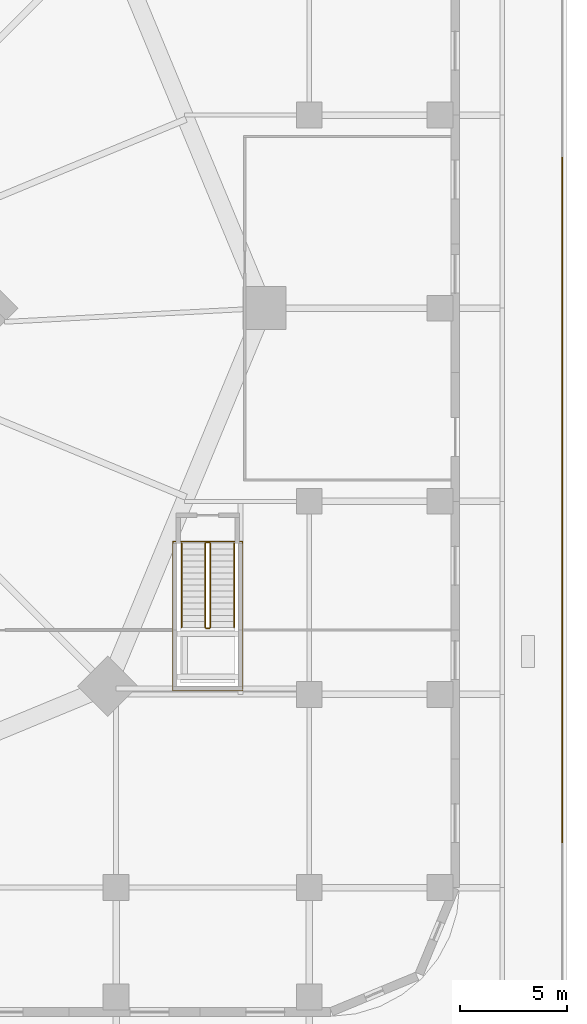
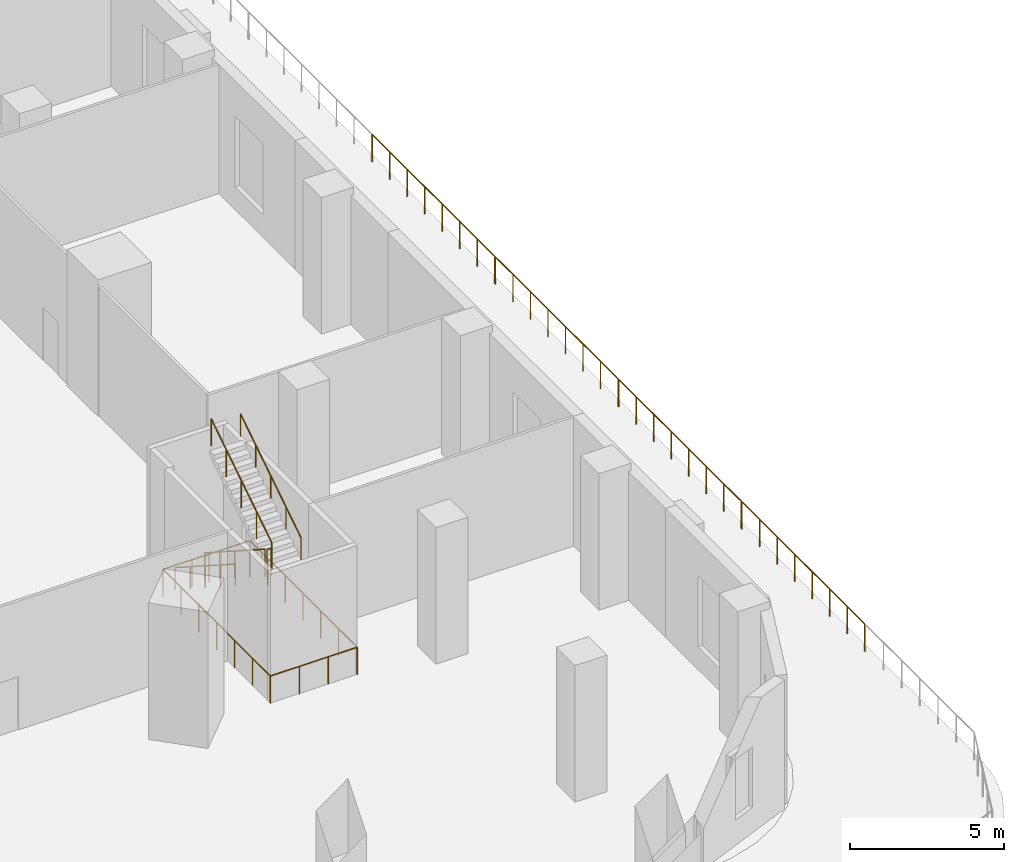
# One storey, part 18 of 20: 11 railings.
"""IFC4 building model written with IfcOpenShell, lengths in metres."""

import ifcopenshell
import ifcopenshell.guid

model = None  # the IFC model being written
_history = None  # IfcOwnerHistory: only IFC2X3 demands one
_inside = {}  # id of a spatial element -> (the spatial element, [elements in it])
_under = {}  # id of a project, library or spatial element -> (it, [spatial elements below it])
_declared = {}  # id of a project -> (the project, [libraries it declares])
_typed = {}  # id of a type object -> (the type object, [elements of that type])
_made_of = {}  # id of a material, layer set ... -> (it, [elements and type objects made of it])


def new_model(schema):
    """Start an empty IFC model of exactly this schema.

    Asked for "IFC4X3", IfcOpenShell would pick the latest addendum, in which some entities
    have other attributes; the version numbers below select the first issue.
    IFC2X3 requires an IfcOwnerHistory on every rooted entity: one is made here for all.
    """
    global model, _history
    if schema == "IFC4X3":
        model = ifcopenshell.file(schema_version=(4, 3, 0, 0))
    else:
        model = ifcopenshell.file(schema=schema)
    _inside.clear()
    _under.clear()
    _declared.clear()
    _typed.clear()
    _made_of.clear()
    _history = None
    if model.schema == "IFC2X3":
        org = make("IfcOrganization", Name="unknown")
        user = make(
            "IfcPersonAndOrganization",
            ThePerson=make("IfcPerson", FamilyName="unknown"),
            TheOrganization=org,
        )
        app = make(
            "IfcApplication",
            ApplicationDeveloper=org,
            Version="unknown",
            ApplicationFullName="unknown",
            ApplicationIdentifier="unknown",
        )
        _history = make(
            "IfcOwnerHistory",
            OwningUser=user,
            OwningApplication=app,
            ChangeAction="ADDED",
            CreationDate=0,
        )
    return model


def make(cls, **values):
    """One entity of the class cls with the attributes given. An attribute that is None is left unset."""
    return model.create_entity(
        cls, **{name: value for name, value in values.items() if value is not None}
    )


def rooted(cls, **values):
    """An entity with a GlobalId (a new one), such as an element, a storey or a relation."""
    return make(cls, GlobalId=ifcopenshell.guid.new(), OwnerHistory=_history, **values)


def si_unit(unit_type, name, prefix=None):
    """IfcSIUnit, for example si_unit("LENGTHUNIT", "METRE", prefix="MILLI")."""
    return make("IfcSIUnit", UnitType=unit_type, Prefix=prefix, Name=name)


def assignment(units):
    """IfcUnitAssignment: the units of a project."""
    return None if units is None else make("IfcUnitAssignment", Units=units)


def point(xyz):
    """IfcCartesianPoint."""
    return None if xyz is None else make("IfcCartesianPoint", Coordinates=xyz)


def direction(xyz):
    """IfcDirection."""
    return None if xyz is None else make("IfcDirection", DirectionRatios=xyz)


def frame(location, z_axis=None, x_axis=None):
    """IfcAxis2Placement3D, a coordinate frame: its origin and axes. An axis left out is left unset."""
    return make(
        "IfcAxis2Placement3D",
        Location=point(location),
        Axis=direction(z_axis),
        RefDirection=direction(x_axis),
    )


def frame_2d(location, x_axis=None):
    """IfcAxis2Placement2D, a coordinate frame in the plane: its origin and x axis."""
    return make(
        "IfcAxis2Placement2D", Location=point(location), RefDirection=direction(x_axis)
    )


def origin():
    """The frame at (0, 0, 0) with its axes left unset."""
    return frame((0.0, 0.0, 0.0))


def origin_2d():
    """The frame at (0, 0) in the plane with its x axis left unset."""
    return frame_2d((0.0, 0.0))


def place(relative_to, where):
    """IfcLocalPlacement: puts the frame where relative to a parent placement (None: the world)."""
    return make(
        "IfcLocalPlacement", PlacementRelTo=relative_to, RelativePlacement=where
    )


def context(
    kind, dimensions, precision=None, world=None, true_north=None, identifier=None
):
    """IfcGeometricRepresentationContext, for example the 3D "Model" context."""
    return make(
        "IfcGeometricRepresentationContext",
        ContextIdentifier=identifier,
        ContextType=kind,
        CoordinateSpaceDimension=dimensions,
        Precision=precision,
        WorldCoordinateSystem=world,
        TrueNorth=true_north,
    )


def subcontext(parent, identifier, kind, view, scale=None):
    """IfcGeometricRepresentationSubContext, for example "Body" below "Model"."""
    return make(
        "IfcGeometricRepresentationSubContext",
        ContextIdentifier=identifier,
        ContextType=kind,
        ParentContext=parent,
        TargetScale=scale,
        TargetView=view,
    )


def project(units=None, contexts=None):
    """IfcProject with its units and contexts."""
    return rooted(
        "IfcProject",
        Name="project",
        RepresentationContexts=contexts,
        UnitsInContext=assignment(units),
    )


def spatial(cls, under=None, at=None, **own):
    """A site, building, storey or space (cls), placed at a placement, below another one or the project."""
    s = rooted(cls, ObjectPlacement=at, **own)
    if under is not None:
        _under.setdefault(under.id(), (under, []))[1].append(s)
    return s


def profile(cls, at=None, kind="AREA", **sizes):
    """A parametric profile (cls). Its sizes go by their IFC names, for example OverallWidth=200.0."""
    return make(cls, ProfileType=kind, Position=at, **sizes)


def circle(**sizes):
    """IfcCircleProfileDef."""
    return profile("IfcCircleProfileDef", **sizes)


def extrude(swept, where, along, depth):
    """IfcExtrudedAreaSolid: the profile swept, set in the frame where, extruded along a direction by depth."""
    return make(
        "IfcExtrudedAreaSolid",
        SweptArea=swept,
        Position=where,
        ExtrudedDirection=direction(along),
        Depth=depth,
    )


def shape(context_of_items, identifier, shape_type, items):
    """IfcShapeRepresentation: the items that make up one representation, for example the "Body"."""
    return make(
        "IfcShapeRepresentation",
        ContextOfItems=context_of_items,
        RepresentationIdentifier=identifier,
        RepresentationType=shape_type,
        Items=items,
    )


def material(Name=None, Category=None):
    """IfcMaterial."""
    return make("IfcMaterial", Name=Name, Category=Category)


def made_of(thing, what):
    """Note that an element or type object is made of a material, layer set ...; save() writes the relation."""
    if what is not None:
        _made_of.setdefault(what.id(), (what, []))[1].append(thing)
    return thing


def type_object(cls, material=None, **own):
    """A type object (cls), such as IfcWallType, which elements share."""
    return made_of(rooted(cls, **own), material)


def element(
    cls,
    number,
    at=None,
    inside=None,
    cuts=None,
    type_object=None,
    material=None,
    context=None,
    identifier="Body",
    shape_type=None,
    held_by="IfcProductDefinitionShape",
    body=None,
    shapes=None,
    **own,
):
    """One element of the class cls, such as IfcWall. Its Tag is "e" and its number.

    at: its placement. inside: the storey or other place that contains it. cuts: it is an
    opening in that element (IfcRelVoidsElement). A single representation is given by context,
    identifier, shape_type and body (its items); several are given by shapes. held_by: the class
    of the entity that holds the representations. save() writes the other relations.
    """
    e = rooted(cls, Tag="e%d" % number, ObjectPlacement=at, **own)
    if body is not None:
        shapes = [shape(context, identifier, shape_type, body)]
    if shapes is not None:
        e.Representation = make(held_by, Representations=shapes)
    if inside is not None:
        _inside.setdefault(inside.id(), (inside, []))[1].append(e)
    if cuts is not None:
        rooted(
            "IfcRelVoidsElement", RelatingBuildingElement=cuts, RelatedOpeningElement=e
        )
    if type_object is not None:
        _typed.setdefault(type_object.id(), (type_object, []))[1].append(e)
    return made_of(e, material)


def aggregate(whole, parts):
    """IfcRelAggregates: a whole, such as a stair, and the parts it consists of."""
    return rooted("IfcRelAggregates", RelatingObject=whole, RelatedObjects=parts)


def save(model, path):
    """Write the relations noted so far, then the file.

    IfcRelAggregates (storeys below a building ...), IfcRelContainedInSpatialStructure (elements
    in a storey), IfcRelDefinesByType, IfcRelAssociatesMaterial and IfcRelDeclares: one each for
    every whole, place, type object, material and project.
    """
    for whole, parts in _under.values():
        aggregate(whole, parts)
    for where, things in _inside.values():
        rooted(
            "IfcRelContainedInSpatialStructure",
            RelatedElements=things,
            RelatingStructure=where,
        )
    for kind, things in _typed.values():
        rooted("IfcRelDefinesByType", RelatedObjects=things, RelatingType=kind)
    for what, things in _made_of.values():
        rooted("IfcRelAssociatesMaterial", RelatedObjects=things, RelatingMaterial=what)
    for by, libraries in _declared.values():
        rooted("IfcRelDeclares", RelatingContext=by, RelatedDefinitions=libraries)
    model.write(path)


model = new_model("IFC4")

# Units and contexts
model_context = context("Model", 3, precision=1e-05, world=origin(), true_north=direction((0.0, 1.0)))
body_context = subcontext(model_context, "Body", "Model", "MODEL_VIEW")
ifc_project = project(units=[si_unit("LENGTHUNIT", "METRE"), si_unit("AREAUNIT", "SQUARE_METRE"), si_unit("VOLUMEUNIT", "CUBIC_METRE"), si_unit("PLANEANGLEUNIT", "RADIAN"), si_unit("MASSUNIT", "GRAM", prefix="KILO")], contexts=[model_context])

# Site, building, storey
site_placement = place(None, origin())
site = spatial("IfcSite", under=ifc_project, at=site_placement, CompositionType="ELEMENT")
building_placement = place(site_placement, origin())
building = spatial("IfcBuilding", under=site, at=building_placement, Name="Ogive Gate Towers", CompositionType="ELEMENT")
storey_placement = place(building_placement, frame((0.0, 0.0, 7.199951171875)))
storey = spatial("IfcBuildingStorey", under=building, at=storey_placement, Name="L01", CompositionType="ELEMENT", Elevation=7.199951171875)

# Railings
ifc_material_1 = material(Name="Stainless steel", Category="steel")
railing_type_1 = type_object("IfcRailingType", Name="Guard 1100", PredefinedType="GUARDRAIL", material=ifc_material_1)
for number, where, name in (
    (1, (74.800048828125, -24.89599609375, 0.0), "Terrace guard"),
    (2, (74.800048828125, -16.90478515625, 0.0), "Terrace guard"),
):
    element("IfcRailing", number, at=place(storey_placement, frame(where)), inside=storey, type_object=railing_type_1, Name=name, PredefinedType="GUARDRAIL", context=body_context, shape_type="SweptSolid", body=[
        extrude(circle(Radius=0.02392578125, at=origin_2d()), frame((0.0, 0.0, 1.076171875), z_axis=(0.0, 1.0, 0.0), x_axis=(-1.0, 0.0, 0.0)), (0.0, 0.0, 1.0), 7.941162109375),
        extrude(circle(Radius=0.02099609375, at=origin_2d()), origin(), (0.0, 0.0, 1.0), 1.052001953125),
        extrude(circle(Radius=0.02099609375, at=origin_2d()), frame((0.0, 1.134521484375, 0.0)), (0.0, 0.0, 1.0), 1.052001953125),
        extrude(circle(Radius=0.02099609375, at=origin_2d()), frame((0.0, 2.268798828125, 0.0)), (0.0, 0.0, 1.0), 1.052001953125),
        extrude(circle(Radius=0.02099609375, at=origin_2d()), frame((0.0, 3.4033203125, 0.0)), (0.0, 0.0, 1.0), 1.052001953125),
        extrude(circle(Radius=0.02099609375, at=origin_2d()), frame((0.0, 4.537841796875, 0.0)), (0.0, 0.0, 1.0), 1.052001953125),
        extrude(circle(Radius=0.02099609375, at=origin_2d()), frame((0.0, 5.67236328125, 0.0)), (0.0, 0.0, 1.0), 1.052001953125),
        extrude(circle(Radius=0.02099609375, at=origin_2d()), frame((0.0, 6.806640625, 0.0)), (0.0, 0.0, 1.0), 1.052001953125),
        extrude(circle(Radius=0.02099609375, at=origin_2d()), frame((0.0, 7.941162109375, 0.0)), (0.0, 0.0, 1.0), 1.052001953125),
    ])
railing_1_placement = place(storey_placement, frame((74.800048828125, -8.913818359375, 0.0)))
element("IfcRailing", 3, at=railing_1_placement, inside=storey, type_object=railing_type_1, Name="Terrace guard", PredefinedType="GUARDRAIL", context=body_context, shape_type="SweptSolid", body=[
    extrude(circle(Radius=0.02392578125, at=origin_2d()), frame((0.0, 0.0, 1.076171875), z_axis=(0.0, 1.0, 0.0), x_axis=(-1.0, 0.0, 0.0)), (0.0, 0.0, 1.0), 7.94140625),
    extrude(circle(Radius=0.02099609375, at=origin_2d()), origin(), (0.0, 0.0, 1.0), 1.052001953125),
    extrude(circle(Radius=0.02099609375, at=origin_2d()), frame((0.0, 1.134521484375, 0.0)), (0.0, 0.0, 1.0), 1.052001953125),
    extrude(circle(Radius=0.02099609375, at=origin_2d()), frame((0.0, 2.26904296875, 0.0)), (0.0, 0.0, 1.0), 1.052001953125),
    extrude(circle(Radius=0.02099609375, at=origin_2d()), frame((0.0, 3.403564453125, 0.0)), (0.0, 0.0, 1.0), 1.052001953125),
    extrude(circle(Radius=0.02099609375, at=origin_2d()), frame((0.0, 4.537841796875, 0.0)), (0.0, 0.0, 1.0), 1.052001953125),
    extrude(circle(Radius=0.02099609375, at=origin_2d()), frame((0.0, 5.67236328125, 0.0)), (0.0, 0.0, 1.0), 1.052001953125),
    extrude(circle(Radius=0.02099609375, at=origin_2d()), frame((0.0, 6.806884765625, 0.0)), (0.0, 0.0, 1.0), 1.052001953125),
    extrude(circle(Radius=0.02099609375, at=origin_2d()), frame((0.0, 7.94140625, 0.0)), (0.0, 0.0, 1.0), 1.052001953125),
])
railing_2_placement = place(storey_placement, frame((74.800048828125, -0.922607421875, 0.0)))
element("IfcRailing", 4, at=railing_2_placement, inside=storey, type_object=railing_type_1, Name="Terrace guard", PredefinedType="GUARDRAIL", context=body_context, shape_type="SweptSolid", body=[
    extrude(circle(Radius=0.02392578125, at=origin_2d()), frame((0.0, 0.0, 1.076171875), z_axis=(0.0, 1.0, 0.0), x_axis=(-1.0, 0.0, 0.0)), (0.0, 0.0, 1.0), 7.941162109375),
    extrude(circle(Radius=0.02099609375, at=origin_2d()), origin(), (0.0, 0.0, 1.0), 1.052001953125),
    extrude(circle(Radius=0.02099609375, at=origin_2d()), frame((0.0, 1.134521484375, 0.0)), (0.0, 0.0, 1.0), 1.052001953125),
    extrude(circle(Radius=0.02099609375, at=origin_2d()), frame((0.0, 2.268798828125, 0.0)), (0.0, 0.0, 1.0), 1.052001953125),
    extrude(circle(Radius=0.02099609375, at=origin_2d()), frame((0.0, 3.4033203125, 0.0)), (0.0, 0.0, 1.0), 1.052001953125),
    extrude(circle(Radius=0.02099609375, at=origin_2d()), frame((0.0, 4.537841796875, 0.0)), (0.0, 0.0, 1.0), 1.052001953125),
    extrude(circle(Radius=0.02099609375, at=origin_2d()), frame((0.0, 5.67236328125, 0.0)), (0.0, 0.0, 1.0), 1.052001953125),
    extrude(circle(Radius=0.02099609375, at=origin_2d()), frame((0.0, 6.806640625, 0.0)), (0.0, 0.0, 1.0), 1.052001953125),
    extrude(circle(Radius=0.02099609375, at=origin_2d()), frame((0.0, 7.941162109375, 0.0)), (0.0, 0.0, 1.0), 1.052001953125),
])
ifc_material_2 = material(Name="Steel and glass guard", Category="steel")
railing_type_2 = type_object("IfcRailingType", Name="Podium stair guard 1100", PredefinedType="GUARDRAIL", material=ifc_material_2)
railing_3_placement = place(storey_placement, frame((58.14990234375, -10.949951171875, 0.179931640625)))
element("IfcRailing", 5, at=railing_3_placement, inside=storey, type_object=railing_type_2, Name="L01 PS2 stair guard 1", PredefinedType="GUARDRAIL", context=body_context, shape_type="SweptSolid", body=[
    extrude(circle(Radius=0.02392578125, at=origin_2d()), frame((0.0, 0.0, 1.076171875), z_axis=(0.0, -0.841186985886, 0.540744352514), x_axis=(1.0, 0.0, 0.0)), (0.0, 0.0, 1.0), 4.660400390625),
    extrude(circle(Radius=0.02099609375, at=origin_2d()), origin(), (0.0, 0.0, 1.0), 1.052001953125),
    extrude(circle(Radius=0.02099609375, at=origin_2d()), frame((0.0, -0.97998046875, 0.6298828125)), (0.0, 0.0, 1.0), 1.052001953125),
    extrude(circle(Radius=0.02099609375, at=origin_2d()), frame((0.0, -1.9599609375, 1.260009765625)), (0.0, 0.0, 1.0), 1.052001953125),
    extrude(circle(Radius=0.02099609375, at=origin_2d()), frame((0.0, -2.940185546875, 1.89013671875)), (0.0, 0.0, 1.0), 1.052001953125),
    extrude(circle(Radius=0.02099609375, at=origin_2d()), frame((0.0, -3.920166015625, 2.52001953125)), (0.0, 0.0, 1.0), 1.052001953125),
])
railing_4_placement = place(storey_placement, frame((58.199951171875, -14.919921875, 2.699951171875)))
element("IfcRailing", 6, at=railing_4_placement, inside=storey, type_object=railing_type_2, Name="L01 PS2 stair guard 2", PredefinedType="GUARDRAIL", context=body_context, shape_type="SweptSolid", body=[
    extrude(circle(Radius=0.02392578125, at=origin_2d()), frame((0.0, 0.0, 1.076171875), z_axis=(1.0, 0.0, 0.0), x_axis=(0.0, 1.0, 0.0)), (0.0, 0.0, 1.0), 0.150146484375),
    extrude(circle(Radius=0.02099609375, at=origin_2d()), origin(), (0.0, 0.0, 1.0), 1.052001953125),
    extrude(circle(Radius=0.02099609375, at=origin_2d()), frame((0.150146484375, 0.0, 0.0)), (0.0, 0.0, 1.0), 1.052001953125),
])
railing_5_placement = place(storey_placement, frame((58.39990234375, -14.8701171875, 2.880126953125)))
element("IfcRailing", 7, at=railing_5_placement, inside=storey, type_object=railing_type_2, Name="L01 PS2 stair guard 3", PredefinedType="GUARDRAIL", context=body_context, shape_type="SweptSolid", body=[
    extrude(circle(Radius=0.02392578125, at=origin_2d()), frame((0.0, 0.0, 1.076171875), z_axis=(0.0, 0.841186985886, 0.540744352514), x_axis=(-1.0, 0.0, 0.0)), (0.0, 0.0, 1.0), 4.660400390625),
    extrude(circle(Radius=0.02099609375, at=origin_2d()), origin(), (0.0, 0.0, 1.0), 1.052001953125),
    extrude(circle(Radius=0.02099609375, at=origin_2d()), frame((0.0, 0.97998046875, 0.6298828125)), (0.0, 0.0, 1.0), 1.052001953125),
    extrude(circle(Radius=0.02099609375, at=origin_2d()), frame((0.0, 1.9599609375, 1.260009765625)), (0.0, 0.0, 1.0), 1.052001953125),
    extrude(circle(Radius=0.02099609375, at=origin_2d()), frame((0.0, 2.940185546875, 1.89013671875)), (0.0, 0.0, 1.0), 1.052001953125),
    extrude(circle(Radius=0.02099609375, at=origin_2d()), frame((0.0, 3.920166015625, 2.52001953125)), (0.0, 0.0, 1.0), 1.052001953125),
])
railing_6_placement = place(storey_placement, frame((58.199951171875, -10.89990234375, 0.0)))
element("IfcRailing", 8, at=railing_6_placement, inside=storey, type_object=railing_type_2, Name="L01 PS2 stair guard 4", PredefinedType="GUARDRAIL", context=body_context, shape_type="SweptSolid", body=[
    extrude(circle(Radius=0.02392578125, at=origin_2d()), frame((0.0, 0.0, 1.076171875), z_axis=(1.0, 0.0, 0.0), x_axis=(0.0, 1.0, 0.0)), (0.0, 0.0, 1.0), 0.150146484375),
    extrude(circle(Radius=0.02099609375, at=origin_2d()), origin(), (0.0, 0.0, 1.0), 1.052001953125),
    extrude(circle(Radius=0.02099609375, at=origin_2d()), frame((0.150146484375, 0.0, 0.0)), (0.0, 0.0, 1.0), 1.052001953125),
])
ifc_material_3 = material(Name="Stainless steel handrail", Category="steel")
railing_type_3 = type_object("IfcRailingType", Name="Podium stair handrail 900", PredefinedType="HANDRAIL", material=ifc_material_3)
railing_7_placement = place(storey_placement, frame((57.050048828125, -10.949951171875, 0.179931640625)))
element("IfcRailing", 9, at=railing_7_placement, inside=storey, type_object=railing_type_3, Name="L01 PS2 stair handrail 1", PredefinedType="HANDRAIL", context=body_context, shape_type="SweptSolid", body=[
    extrude(circle(Radius=0.02392578125, at=origin_2d()), frame((0.0, 0.0, 0.8759765625), z_axis=(0.0, -0.841186985886, 0.540744352514), x_axis=(1.0, 0.0, 0.0)), (0.0, 0.0, 1.0), 4.660400390625),
    extrude(circle(Radius=0.02099609375, at=origin_2d()), origin(), (0.0, 0.0, 1.0), 0.851806640625),
    extrude(circle(Radius=0.02099609375, at=origin_2d()), frame((0.0, -0.97998046875, 0.6298828125)), (0.0, 0.0, 1.0), 0.851806640625),
    extrude(circle(Radius=0.02099609375, at=origin_2d()), frame((0.0, -1.9599609375, 1.260009765625)), (0.0, 0.0, 1.0), 0.851806640625),
    extrude(circle(Radius=0.02099609375, at=origin_2d()), frame((0.0, -2.940185546875, 1.89013671875)), (0.0, 0.0, 1.0), 0.851806640625),
    extrude(circle(Radius=0.02099609375, at=origin_2d()), frame((0.0, -3.920166015625, 2.52001953125)), (0.0, 0.0, 1.0), 0.851806640625),
])
railing_8_placement = place(storey_placement, frame((59.5, -14.8701171875, 2.880126953125)))
element("IfcRailing", 10, at=railing_8_placement, inside=storey, type_object=railing_type_3, Name="L01 PS2 stair handrail 2", PredefinedType="HANDRAIL", context=body_context, shape_type="SweptSolid", body=[
    extrude(circle(Radius=0.02392578125, at=origin_2d()), frame((0.0, 0.0, 0.8759765625), z_axis=(0.0, 0.841186985886, 0.540744352514), x_axis=(-1.0, 0.0, 0.0)), (0.0, 0.0, 1.0), 4.660400390625),
    extrude(circle(Radius=0.02099609375, at=origin_2d()), origin(), (0.0, 0.0, 1.0), 0.851806640625),
    extrude(circle(Radius=0.02099609375, at=origin_2d()), frame((0.0, 0.97998046875, 0.6298828125)), (0.0, 0.0, 1.0), 0.851806640625),
    extrude(circle(Radius=0.02099609375, at=origin_2d()), frame((0.0, 1.9599609375, 1.260009765625)), (0.0, 0.0, 1.0), 0.851806640625),
    extrude(circle(Radius=0.02099609375, at=origin_2d()), frame((0.0, 2.940185546875, 1.89013671875)), (0.0, 0.0, 1.0), 0.851806640625),
    extrude(circle(Radius=0.02099609375, at=origin_2d()), frame((0.0, 3.920166015625, 2.52001953125)), (0.0, 0.0, 1.0), 0.851806640625),
])
railing_type_4 = type_object("IfcRailingType", Name="Void guard 1100", PredefinedType="GUARDRAIL", material=ifc_material_2)
railing_9_placement = place(storey_placement, frame((59.89990234375, -17.820068359375, 0.0)))
element("IfcRailing", 11, at=railing_9_placement, inside=storey, type_object=railing_type_4, Name="L01 nave guard", PredefinedType="GUARDRAIL", context=body_context, shape_type="SweptSolid", body=[
    extrude(circle(Radius=0.02392578125, at=origin_2d()), frame((0.0, 0.0, 1.076171875), z_axis=(-1.0, 0.0, 0.0), x_axis=(0.0, -1.0, 0.0)), (0.0, 0.0, 1.0), 3.25),
    extrude(circle(Radius=0.02392578125, at=origin_2d()), frame((-3.25, 0.0, 1.076171875), z_axis=(0.0, 1.0, 0.0), x_axis=(-1.0, 0.0, 0.0)), (0.0, 0.0, 1.0), 6.955078125),
    extrude(circle(Radius=0.02392578125, at=origin_2d()), frame((-3.25, 6.955078125, 1.076171875), z_axis=(1.0, 0.0, 0.0), x_axis=(0.0, 1.0, 0.0)), (0.0, 0.0, 1.0), 3.25),
    extrude(circle(Radius=0.02392578125, at=origin_2d()), frame((0.0, 6.955078125, 1.076171875), z_axis=(0.0, -1.0, 0.0), x_axis=(1.0, 0.0, 0.0)), (0.0, 0.0, 1.0), 6.885009765625),
    extrude(circle(Radius=0.02099609375, at=origin_2d()), origin(), (0.0, 0.0, 1.0), 1.052001953125),
    extrude(circle(Radius=0.02099609375, at=origin_2d()), frame((-1.083251953125, 0.0, 0.0)), (0.0, 0.0, 1.0), 1.052001953125),
    extrude(circle(Radius=0.02099609375, at=origin_2d()), frame((-2.166748046875, 0.0, 0.0)), (0.0, 0.0, 1.0), 1.052001953125),
    extrude(circle(Radius=0.02099609375, at=origin_2d()), frame((-3.25, 0.0, 0.0)), (0.0, 0.0, 1.0), 1.052001953125),
    extrude(circle(Radius=0.02099609375, at=origin_2d()), frame((-3.25, 1.1591796875, 0.0)), (0.0, 0.0, 1.0), 1.052001953125),
    extrude(circle(Radius=0.02099609375, at=origin_2d()), frame((-3.25, 2.318359375, 0.0)), (0.0, 0.0, 1.0), 1.052001953125),
    extrude(circle(Radius=0.02099609375, at=origin_2d()), frame((-3.25, 3.4775390625, 0.0)), (0.0, 0.0, 1.0), 1.052001953125),
    extrude(circle(Radius=0.02099609375, at=origin_2d()), frame((-3.25, 4.63671875, 0.0)), (0.0, 0.0, 1.0), 1.052001953125),
    extrude(circle(Radius=0.02099609375, at=origin_2d()), frame((-3.25, 5.7958984375, 0.0)), (0.0, 0.0, 1.0), 1.052001953125),
    extrude(circle(Radius=0.02099609375, at=origin_2d()), frame((-3.25, 6.955078125, 0.0)), (0.0, 0.0, 1.0), 1.052001953125),
    extrude(circle(Radius=0.02099609375, at=origin_2d()), frame((-2.166748046875, 6.955078125, 0.0)), (0.0, 0.0, 1.0), 1.052001953125),
    extrude(circle(Radius=0.02099609375, at=origin_2d()), frame((-1.083251953125, 6.955078125, 0.0)), (0.0, 0.0, 1.0), 1.052001953125),
    extrude(circle(Radius=0.02099609375, at=origin_2d()), frame((0.0, 6.955078125, 0.0)), (0.0, 0.0, 1.0), 1.052001953125),
    extrude(circle(Radius=0.02099609375, at=origin_2d()), frame((0.0, 5.8076171875, 0.0)), (0.0, 0.0, 1.0), 1.052001953125),
    extrude(circle(Radius=0.02099609375, at=origin_2d()), frame((0.0, 4.66015625, 0.0)), (0.0, 0.0, 1.0), 1.052001953125),
    extrude(circle(Radius=0.02099609375, at=origin_2d()), frame((0.0, 3.5126953125, 0.0)), (0.0, 0.0, 1.0), 1.052001953125),
    extrude(circle(Radius=0.02099609375, at=origin_2d()), frame((0.0, 2.364990234375, 0.0)), (0.0, 0.0, 1.0), 1.052001953125),
    extrude(circle(Radius=0.02099609375, at=origin_2d()), frame((0.0, 1.217529296875, 0.0)), (0.0, 0.0, 1.0), 1.052001953125),
    extrude(circle(Radius=0.02099609375, at=origin_2d()), frame((0.0, 0.070068359375, 0.0)), (0.0, 0.0, 1.0), 1.052001953125),
])

save(model, "model.ifc")
